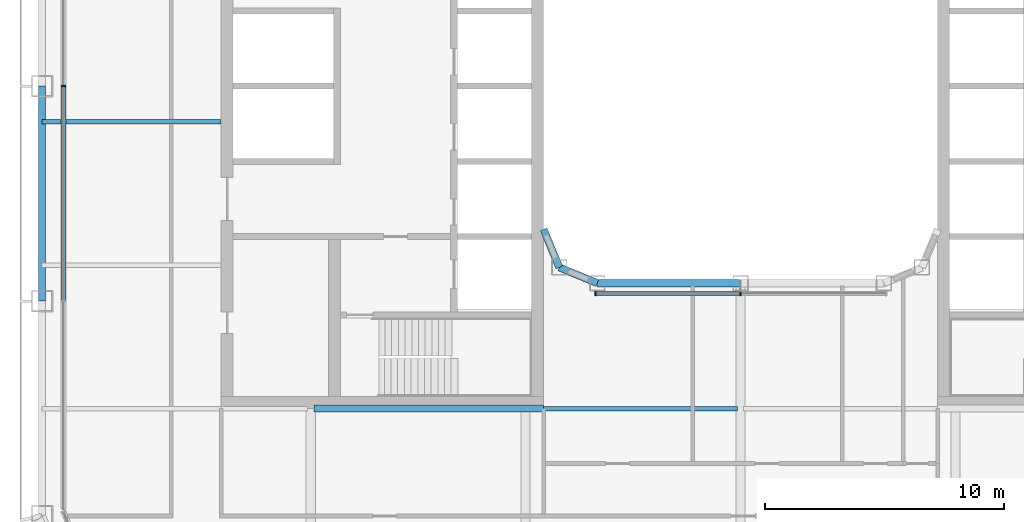
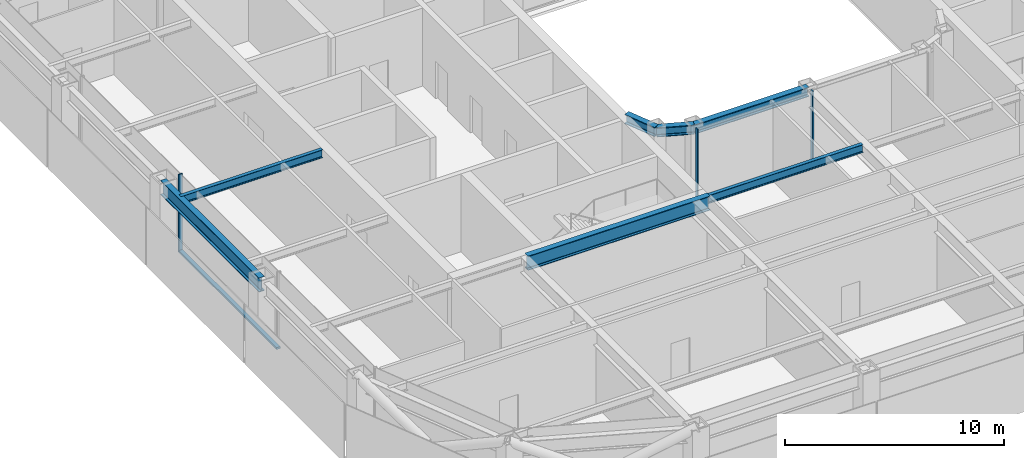
# One storey, part 3 of 23: 7 beams, 5 members, 2 elements without a shape of their own.
"""IFC4 building model written with IfcOpenShell, lengths in metres."""

import ifcopenshell
import ifcopenshell.guid

model = None  # the IFC model being written
_history = None  # IfcOwnerHistory: only IFC2X3 demands one
_inside = {}  # id of a spatial element -> (the spatial element, [elements in it])
_under = {}  # id of a project, library or spatial element -> (it, [spatial elements below it])
_declared = {}  # id of a project -> (the project, [libraries it declares])
_typed = {}  # id of a type object -> (the type object, [elements of that type])
_made_of = {}  # id of a material, layer set ... -> (it, [elements and type objects made of it])


def new_model(schema):
    """Start an empty IFC model of exactly this schema.

    Asked for "IFC4X3", IfcOpenShell would pick the latest addendum, in which some entities
    have other attributes; the version numbers below select the first issue.
    IFC2X3 requires an IfcOwnerHistory on every rooted entity: one is made here for all.
    """
    global model, _history
    if schema == "IFC4X3":
        model = ifcopenshell.file(schema_version=(4, 3, 0, 0))
    else:
        model = ifcopenshell.file(schema=schema)
    _inside.clear()
    _under.clear()
    _declared.clear()
    _typed.clear()
    _made_of.clear()
    _history = None
    if model.schema == "IFC2X3":
        org = make("IfcOrganization", Name="unknown")
        user = make(
            "IfcPersonAndOrganization",
            ThePerson=make("IfcPerson", FamilyName="unknown"),
            TheOrganization=org,
        )
        app = make(
            "IfcApplication",
            ApplicationDeveloper=org,
            Version="unknown",
            ApplicationFullName="unknown",
            ApplicationIdentifier="unknown",
        )
        _history = make(
            "IfcOwnerHistory",
            OwningUser=user,
            OwningApplication=app,
            ChangeAction="ADDED",
            CreationDate=0,
        )
    return model


def make(cls, **values):
    """One entity of the class cls with the attributes given. An attribute that is None is left unset."""
    return model.create_entity(
        cls, **{name: value for name, value in values.items() if value is not None}
    )


def rooted(cls, **values):
    """An entity with a GlobalId (a new one), such as an element, a storey or a relation."""
    return make(cls, GlobalId=ifcopenshell.guid.new(), OwnerHistory=_history, **values)


def si_unit(unit_type, name, prefix=None):
    """IfcSIUnit, for example si_unit("LENGTHUNIT", "METRE", prefix="MILLI")."""
    return make("IfcSIUnit", UnitType=unit_type, Prefix=prefix, Name=name)


def assignment(units):
    """IfcUnitAssignment: the units of a project."""
    return None if units is None else make("IfcUnitAssignment", Units=units)


def point(xyz):
    """IfcCartesianPoint."""
    return None if xyz is None else make("IfcCartesianPoint", Coordinates=xyz)


def direction(xyz):
    """IfcDirection."""
    return None if xyz is None else make("IfcDirection", DirectionRatios=xyz)


def frame(location, z_axis=None, x_axis=None):
    """IfcAxis2Placement3D, a coordinate frame: its origin and axes. An axis left out is left unset."""
    return make(
        "IfcAxis2Placement3D",
        Location=point(location),
        Axis=direction(z_axis),
        RefDirection=direction(x_axis),
    )


def frame_2d(location, x_axis=None):
    """IfcAxis2Placement2D, a coordinate frame in the plane: its origin and x axis."""
    return make(
        "IfcAxis2Placement2D", Location=point(location), RefDirection=direction(x_axis)
    )


def origin():
    """The frame at (0, 0, 0) with its axes left unset."""
    return frame((0.0, 0.0, 0.0))


def origin_2d():
    """The frame at (0, 0) in the plane with its x axis left unset."""
    return frame_2d((0.0, 0.0))


def place(relative_to, where):
    """IfcLocalPlacement: puts the frame where relative to a parent placement (None: the world)."""
    return make(
        "IfcLocalPlacement", PlacementRelTo=relative_to, RelativePlacement=where
    )


def context(
    kind, dimensions, precision=None, world=None, true_north=None, identifier=None
):
    """IfcGeometricRepresentationContext, for example the 3D "Model" context."""
    return make(
        "IfcGeometricRepresentationContext",
        ContextIdentifier=identifier,
        ContextType=kind,
        CoordinateSpaceDimension=dimensions,
        Precision=precision,
        WorldCoordinateSystem=world,
        TrueNorth=true_north,
    )


def subcontext(parent, identifier, kind, view, scale=None):
    """IfcGeometricRepresentationSubContext, for example "Body" below "Model"."""
    return make(
        "IfcGeometricRepresentationSubContext",
        ContextIdentifier=identifier,
        ContextType=kind,
        ParentContext=parent,
        TargetScale=scale,
        TargetView=view,
    )


def project(units=None, contexts=None):
    """IfcProject with its units and contexts."""
    return rooted(
        "IfcProject",
        Name="project",
        RepresentationContexts=contexts,
        UnitsInContext=assignment(units),
    )


def spatial(cls, under=None, at=None, **own):
    """A site, building, storey or space (cls), placed at a placement, below another one or the project."""
    s = rooted(cls, ObjectPlacement=at, **own)
    if under is not None:
        _under.setdefault(under.id(), (under, []))[1].append(s)
    return s


def profile(cls, at=None, kind="AREA", **sizes):
    """A parametric profile (cls). Its sizes go by their IFC names, for example OverallWidth=200.0."""
    return make(cls, ProfileType=kind, Position=at, **sizes)


def rectangle(**sizes):
    """IfcRectangleProfileDef."""
    return profile("IfcRectangleProfileDef", **sizes)


def i_section(**sizes):
    """IfcIShapeProfileDef."""
    return profile("IfcIShapeProfileDef", **sizes)


def extrude(swept, where, along, depth):
    """IfcExtrudedAreaSolid: the profile swept, set in the frame where, extruded along a direction by depth."""
    return make(
        "IfcExtrudedAreaSolid",
        SweptArea=swept,
        Position=where,
        ExtrudedDirection=direction(along),
        Depth=depth,
    )


def shape(context_of_items, identifier, shape_type, items):
    """IfcShapeRepresentation: the items that make up one representation, for example the "Body"."""
    return make(
        "IfcShapeRepresentation",
        ContextOfItems=context_of_items,
        RepresentationIdentifier=identifier,
        RepresentationType=shape_type,
        Items=items,
    )


def material(Name=None, Category=None):
    """IfcMaterial."""
    return make("IfcMaterial", Name=Name, Category=Category)


def layer(
    of_material, thickness, ventilated=None, Name=None, Category=None, Priority=None
):
    """IfcMaterialLayer: one layer of a wall or slab, of a material (None: an air gap)."""
    return make(
        "IfcMaterialLayer",
        Material=of_material,
        LayerThickness=thickness,
        IsVentilated=ventilated,
        Name=Name,
        Category=Category,
        Priority=Priority,
    )


def layer_set(layers, Name=None):
    """IfcMaterialLayerSet."""
    return make("IfcMaterialLayerSet", MaterialLayers=layers, LayerSetName=Name)


def material_profile(
    of_material, cross_section, Name=None, Category=None, Priority=None
):
    """IfcMaterialProfile: a cross section and its material."""
    return make(
        "IfcMaterialProfile",
        Name=Name,
        Material=of_material,
        Profile=cross_section,
        Priority=Priority,
        Category=Category,
    )


def profile_set(profiles, Name=None, composite=None):
    """IfcMaterialProfileSet."""
    return make(
        "IfcMaterialProfileSet",
        Name=Name,
        MaterialProfiles=profiles,
        CompositeProfile=composite,
    )


def made_of(thing, what):
    """Note that an element or type object is made of a material, layer set ...; save() writes the relation."""
    if what is not None:
        _made_of.setdefault(what.id(), (what, []))[1].append(thing)
    return thing


def type_object(cls, material=None, **own):
    """A type object (cls), such as IfcWallType, which elements share."""
    return made_of(rooted(cls, **own), material)


def element(
    cls,
    number,
    at=None,
    inside=None,
    cuts=None,
    type_object=None,
    material=None,
    context=None,
    identifier="Body",
    shape_type=None,
    held_by="IfcProductDefinitionShape",
    body=None,
    shapes=None,
    **own,
):
    """One element of the class cls, such as IfcWall. Its Tag is "e" and its number.

    at: its placement. inside: the storey or other place that contains it. cuts: it is an
    opening in that element (IfcRelVoidsElement). A single representation is given by context,
    identifier, shape_type and body (its items); several are given by shapes. held_by: the class
    of the entity that holds the representations. save() writes the other relations.
    """
    e = rooted(cls, Tag="e%d" % number, ObjectPlacement=at, **own)
    if body is not None:
        shapes = [shape(context, identifier, shape_type, body)]
    if shapes is not None:
        e.Representation = make(held_by, Representations=shapes)
    if inside is not None:
        _inside.setdefault(inside.id(), (inside, []))[1].append(e)
    if cuts is not None:
        rooted(
            "IfcRelVoidsElement", RelatingBuildingElement=cuts, RelatedOpeningElement=e
        )
    if type_object is not None:
        _typed.setdefault(type_object.id(), (type_object, []))[1].append(e)
    return made_of(e, material)


def aggregate(whole, parts):
    """IfcRelAggregates: a whole, such as a stair, and the parts it consists of."""
    return rooted("IfcRelAggregates", RelatingObject=whole, RelatedObjects=parts)


def save(model, path):
    """Write the relations noted so far, then the file.

    IfcRelAggregates (storeys below a building ...), IfcRelContainedInSpatialStructure (elements
    in a storey), IfcRelDefinesByType, IfcRelAssociatesMaterial and IfcRelDeclares: one each for
    every whole, place, type object, material and project.
    """
    for whole, parts in _under.values():
        aggregate(whole, parts)
    for where, things in _inside.values():
        rooted(
            "IfcRelContainedInSpatialStructure",
            RelatedElements=things,
            RelatingStructure=where,
        )
    for kind, things in _typed.values():
        rooted("IfcRelDefinesByType", RelatedObjects=things, RelatingType=kind)
    for what, things in _made_of.values():
        rooted("IfcRelAssociatesMaterial", RelatedObjects=things, RelatingMaterial=what)
    for by, libraries in _declared.values():
        rooted("IfcRelDeclares", RelatingContext=by, RelatedDefinitions=libraries)
    model.write(path)


model = new_model("IFC4")

# Units and contexts
model_context = context("Model", 3, precision=1e-05, world=origin(), true_north=direction((0.0, 1.0)))
body_context = subcontext(model_context, "Body", "Model", "MODEL_VIEW")
ifc_project = project(units=[si_unit("LENGTHUNIT", "METRE"), si_unit("AREAUNIT", "SQUARE_METRE"), si_unit("VOLUMEUNIT", "CUBIC_METRE"), si_unit("PLANEANGLEUNIT", "RADIAN"), si_unit("MASSUNIT", "GRAM", prefix="KILO")], contexts=[model_context])

# Site, building, storey
site_placement = place(None, origin())
site = spatial("IfcSite", under=ifc_project, at=site_placement, CompositionType="ELEMENT")
building_placement = place(site_placement, origin())
building = spatial("IfcBuilding", under=site, at=building_placement, Name="Siwar Civic Tower", CompositionType="ELEMENT")
storey_placement = place(building_placement, frame((0.0, 0.0, 163.199951171875)))
storey = spatial("IfcBuildingStorey", under=building, at=storey_placement, Name="L35", CompositionType="ELEMENT", Elevation=163.199951171875)

# Curtain wall, member
ifc_material_1 = material(Name="Aluminium and glass", Category="aluminium")
ifc_layer_1 = layer(ifc_material_1, 0.199951171875)
ifc_layer_set_1 = layer_set([ifc_layer_1], Name="Aluminium and glass")
curtain_wall_type_1 = type_object("IfcCurtainWallType", Name="ENV-CW-B", PredefinedType="NOTDEFINED", material=ifc_layer_set_1)
curtain_wall_1_placement = place(storey_placement, origin())
curtain_wall_1 = element("IfcCurtainWall", 1, at=curtain_wall_1_placement, inside=storey, type_object=curtain_wall_type_1, Name="Curtain wall B W", PredefinedType="NOTDEFINED")
ifc_material_2 = material(Name="Aluminium 6063-T6", Category="aluminium")
ifc_material_profile_1 = material_profile(ifc_material_2, rectangle(XDim=0.199951171875, YDim=0.06494140625, at=origin_2d()), Name="AL 200x65")
ifc_profile_set_1 = profile_set([ifc_material_profile_1], Name="Aluminium 6063-T6")
member_type_1 = type_object("IfcMemberType", Name="ENV-MULLION-B", PredefinedType="MULLION", material=ifc_profile_set_1)
member_1_placement = place(storey_placement, frame((-28.35009765625, 0.0, 0.0), z_axis=(0.0, 0.0, 1.0), x_axis=(1.0, 0.0, 0.0)))
member_1 = element("IfcMember", 2, at=member_1_placement, type_object=member_type_1, Name="Mullion B W 3", PredefinedType="MULLION", context=body_context, shape_type="SweptSolid", body=[
    extrude(rectangle(XDim=0.199951171875, YDim=0.06494140625, at=origin_2d()), origin(), (0.0, 0.0, 1.0), 4.35009765625),
])

# Curtain wall, members
ifc_material_3 = material(Name="Aluminium and glass", Category="aluminium")
ifc_layer_2 = layer(ifc_material_3, 0.179931640625)
ifc_layer_set_2 = layer_set([ifc_layer_2], Name="Aluminium and glass")
curtain_wall_type_2 = type_object("IfcCurtainWallType", Name="ENV-CW-W", PredefinedType="NOTDEFINED", material=ifc_layer_set_2)
curtain_wall_2_placement = place(storey_placement, origin())
curtain_wall_2 = element("IfcCurtainWall", 3, at=curtain_wall_2_placement, inside=storey, type_object=curtain_wall_type_2, Name="Curtain wall W WS", PredefinedType="NOTDEFINED")
ifc_material_4 = material(Name="Aluminium 6063-T6", Category="aluminium")
ifc_material_profile_2 = material_profile(ifc_material_4, rectangle(XDim=0.179931640625, YDim=0.06005859375, at=origin_2d()), Name="AL 180x60")
ifc_profile_set_2 = profile_set([ifc_material_profile_2], Name="Aluminium 6063-T6")
member_type_2 = type_object("IfcMemberType", Name="ENV-MULLION-W", PredefinedType="MULLION", material=ifc_profile_set_2)
member_2_placement = place(storey_placement, frame((-6.08642578125, -8.68505859375, 0.0), z_axis=(0.0, 0.0, 1.0), x_axis=(0.0, 1.0, 0.0)))
member_2 = element("IfcMember", 4, at=member_2_placement, type_object=member_type_2, Name="Mullion W WS 1", PredefinedType="MULLION", context=body_context, shape_type="SweptSolid", body=[
    extrude(rectangle(XDim=0.179931640625, YDim=0.06005859375, at=origin_2d()), origin(), (0.0, 0.0, 1.0), 4.35009765625),
])
member_3_placement = place(storey_placement, frame((0.0, -8.68505859375, 0.0), z_axis=(0.0, 0.0, 1.0), x_axis=(0.0, 1.0, 0.0)))
member_3 = element("IfcMember", 5, at=member_3_placement, type_object=member_type_2, Name="Mullion W WS 2", PredefinedType="MULLION", context=body_context, shape_type="SweptSolid", body=[
    extrude(rectangle(XDim=0.179931640625, YDim=0.06005859375, at=origin_2d()), origin(), (0.0, 0.0, 1.0), 4.35009765625),
])

# Member
ifc_material_5 = material(Name="Aluminium 6063-T6", Category="aluminium")
ifc_material_profile_3 = material_profile(ifc_material_5, rectangle(XDim=0.199951171875, YDim=0.110107421875, at=origin_2d()), Name="AL 200x110")
ifc_profile_set_3 = profile_set([ifc_material_profile_3], Name="Aluminium 6063-T6")
member_type_3 = type_object("IfcMemberType", Name="ENV-TRANSOM-B", PredefinedType="USERDEFINED", material=ifc_profile_set_3)
member_4_placement = place(storey_placement, frame((-28.35009765625, -0.032470703125, 0.054931640625), z_axis=(0.0, -1.0, 0.0), x_axis=(1.0, 0.0, 0.0)))
member_4 = element("IfcMember", 6, at=member_4_placement, type_object=member_type_3, Name="Transom B W 3", ObjectType="TRANSOM", PredefinedType="USERDEFINED", context=body_context, shape_type="SweptSolid", body=[
    extrude(rectangle(XDim=0.199951171875, YDim=0.110107421875, at=origin_2d()), origin(), (0.0, 0.0, 1.0), 8.93505859375),
])

aggregate(curtain_wall_1, [member_1, member_4])

ifc_material_6 = material(Name="Aluminium 6063-T6", Category="aluminium")
ifc_material_profile_4 = material_profile(ifc_material_6, rectangle(XDim=0.179931640625, YDim=0.10009765625, at=origin_2d()), Name="AL 180x100")
ifc_profile_set_4 = profile_set([ifc_material_profile_4], Name="Aluminium 6063-T6")
member_type_4 = type_object("IfcMemberType", Name="ENV-TRANSOM-W", PredefinedType="USERDEFINED", material=ifc_profile_set_4)
member_5_placement = place(storey_placement, frame((-6.056640625, -8.68505859375, 0.050048828125), z_axis=(1.0, 0.0, 0.0), x_axis=(0.0, 1.0, 0.0)))
member_5 = element("IfcMember", 7, at=member_5_placement, type_object=member_type_4, Name="Transom W WS 1", ObjectType="TRANSOM", PredefinedType="USERDEFINED", context=body_context, shape_type="SweptSolid", body=[
    extrude(rectangle(XDim=0.179931640625, YDim=0.10009765625, at=origin_2d()), origin(), (0.0, 0.0, 1.0), 6.026611328125),
])

aggregate(curtain_wall_2, [member_2, member_3, member_5])

# Beams
ifc_material_7 = material(Name="Steel S355", Category="steel")
ifc_material_profile_5 = material_profile(ifc_material_7, i_section(OverallWidth=0.18994140625, OverallDepth=0.449951171875, WebThickness=0.009521484375, FlangeThickness=0.0146484375, FilletRadius=0.02099609375, at=origin_2d()), Name="IPE450")
ifc_profile_set_5 = profile_set([ifc_material_profile_5], Name="Steel S355")
beam_type_1 = type_object("IfcBeamType", Name="STR-FB-IPE450", PredefinedType="JOIST", material=ifc_profile_set_5)
beam_1_placement = place(storey_placement, frame((-8.25, -13.5, 4.125), z_axis=(1.0, 0.0, 0.0), x_axis=(0.0, 1.0, 0.0)))
element("IfcBeam", 8, at=beam_1_placement, inside=storey, type_object=beam_type_1, Name="L35/bm/F016", PredefinedType="JOIST", context=body_context, shape_type="SweptSolid", body=[
    extrude(i_section(OverallWidth=0.18994140625, OverallDepth=0.449951171875, WebThickness=0.009521484375, FlangeThickness=0.0146484375, FilletRadius=0.02099609375, at=origin_2d()), origin(), (0.0, 0.0, 1.0), 8.1201171875),
])
beam_2_placement = place(storey_placement, frame((-29.25, -1.5, 4.125), z_axis=(1.0, 0.0, 0.0), x_axis=(0.0, 1.0, 0.0)))
element("IfcBeam", 9, at=beam_2_placement, inside=storey, type_object=beam_type_1, Name="L35/bm/F023", PredefinedType="JOIST", context=body_context, shape_type="SweptSolid", body=[
    extrude(i_section(OverallWidth=0.18994140625, OverallDepth=0.449951171875, WebThickness=0.009521484375, FlangeThickness=0.0146484375, FilletRadius=0.02099609375, at=origin_2d()), origin(), (0.0, 0.0, 1.0), 7.5),
])
ifc_material_8 = material(Name="Steel S355", Category="steel")
ifc_material_profile_6 = material_profile(ifc_material_8, i_section(OverallWidth=0.300048828125, OverallDepth=0.800048828125, WebThickness=0.017578125, FlangeThickness=0.032958984375, FilletRadius=0.030029296875, at=origin_2d()), Name="HEB800")
ifc_profile_set_6 = profile_set([ifc_material_profile_6], Name="Steel S355")
beam_type_2 = type_object("IfcBeamType", Name="STR-PG-HEB800", PredefinedType="BEAM", material=ifc_profile_set_6)
beam_3_placement = place(storey_placement, frame((-17.8701171875, -13.5, 3.949951171875), z_axis=(1.0, 0.0, 0.0), x_axis=(0.0, 1.0, 0.0)))
element("IfcBeam", 10, at=beam_3_placement, inside=storey, type_object=beam_type_2, Name="L35/bm/F015", PredefinedType="BEAM", context=body_context, shape_type="SweptSolid", body=[
    extrude(i_section(OverallWidth=0.300048828125, OverallDepth=0.800048828125, WebThickness=0.017578125, FlangeThickness=0.032958984375, FilletRadius=0.030029296875, at=origin_2d()), origin(), (0.0, 0.0, 1.0), 9.6201171875),
])
ifc_material_9 = material(Name="Steel S355", Category="steel")
ifc_material_profile_7 = material_profile(ifc_material_9, i_section(OverallWidth=0.305908203125, OverallDepth=0.52392578125, WebThickness=0.02099609375, FlangeThickness=0.0400390625, FilletRadius=0.027099609375, at=origin_2d()), Name="HEM500")
ifc_profile_set_7 = profile_set([ifc_material_profile_7], Name="Steel S355")
beam_type_3 = type_object("IfcBeamType", Name="STR-RB-HEM500", PredefinedType="BEAM", material=ifc_profile_set_7)
beam_4_placement = place(storey_placement, frame((-7.591064453125, -7.591064453125, 4.088134765625), z_axis=(0.923901072997, -0.382631424892, 0.0), x_axis=(0.382631424892, 0.923901072997, 0.0)))
element("IfcBeam", 11, at=beam_4_placement, inside=storey, type_object=beam_type_3, Name="L35/bm/RS0", PredefinedType="BEAM", context=body_context, shape_type="SweptSolid", body=[
    extrude(i_section(OverallWidth=0.305908203125, OverallDepth=0.52392578125, WebThickness=0.02099609375, FlangeThickness=0.0400390625, FilletRadius=0.027099609375, at=origin_2d()), origin(), (0.0, 0.0, 1.0), 1.72216796875),
])
beam_5_placement = place(storey_placement, frame((-6.0, -8.25, 4.088134765625), z_axis=(1.0, 0.0, 0.0), x_axis=(0.0, 1.0, 0.0)))
element("IfcBeam", 12, at=beam_5_placement, inside=storey, type_object=beam_type_3, Name="L35/bm/RS1", PredefinedType="BEAM", context=body_context, shape_type="SweptSolid", body=[
    extrude(i_section(OverallWidth=0.305908203125, OverallDepth=0.52392578125, WebThickness=0.02099609375, FlangeThickness=0.0400390625, FilletRadius=0.027099609375, at=origin_2d()), origin(), (0.0, 0.0, 1.0), 6.0),
])
beam_6_placement = place(storey_placement, frame((-7.591064453125, -7.591064453125, 4.088134765625), z_axis=(-0.382631424892, 0.923901072997, 0.0), x_axis=(-0.923901072997, -0.382631424892, 0.0)))
element("IfcBeam", 13, at=beam_6_placement, inside=storey, type_object=beam_type_3, Name="L35/bm/RSEW", PredefinedType="BEAM", context=body_context, shape_type="SweptSolid", body=[
    extrude(i_section(OverallWidth=0.305908203125, OverallDepth=0.52392578125, WebThickness=0.02099609375, FlangeThickness=0.0400390625, FilletRadius=0.027099609375, at=origin_2d()), origin(), (0.0, 0.0, 1.0), 1.72216796875),
])
ifc_material_10 = material(Name="Steel S355", Category="steel")
ifc_material_profile_8 = material_profile(ifc_material_10, i_section(OverallWidth=0.300048828125, OverallDepth=0.800048828125, WebThickness=0.017578125, FlangeThickness=0.032958984375, FilletRadius=0.030029296875, at=origin_2d()), Name="HEB800")
ifc_profile_set_8 = profile_set([ifc_material_profile_8], Name="Steel S355")
beam_type_4 = type_object("IfcBeamType", Name="STR-SB-HEB800", PredefinedType="BEAM", material=ifc_profile_set_8)
beam_7_placement = place(storey_placement, frame((-29.25, 0.0, 3.949951171875), z_axis=(0.0, -1.0, 0.0), x_axis=(1.0, 0.0, 0.0)))
element("IfcBeam", 14, at=beam_7_placement, inside=storey, type_object=beam_type_4, Name="L35/bm/SW-2", PredefinedType="BEAM", context=body_context, shape_type="SweptSolid", body=[
    extrude(i_section(OverallWidth=0.300048828125, OverallDepth=0.800048828125, WebThickness=0.017578125, FlangeThickness=0.032958984375, FilletRadius=0.030029296875, at=origin_2d()), origin(), (0.0, 0.0, 1.0), 9.0),
])

save(model, "model.ifc")
